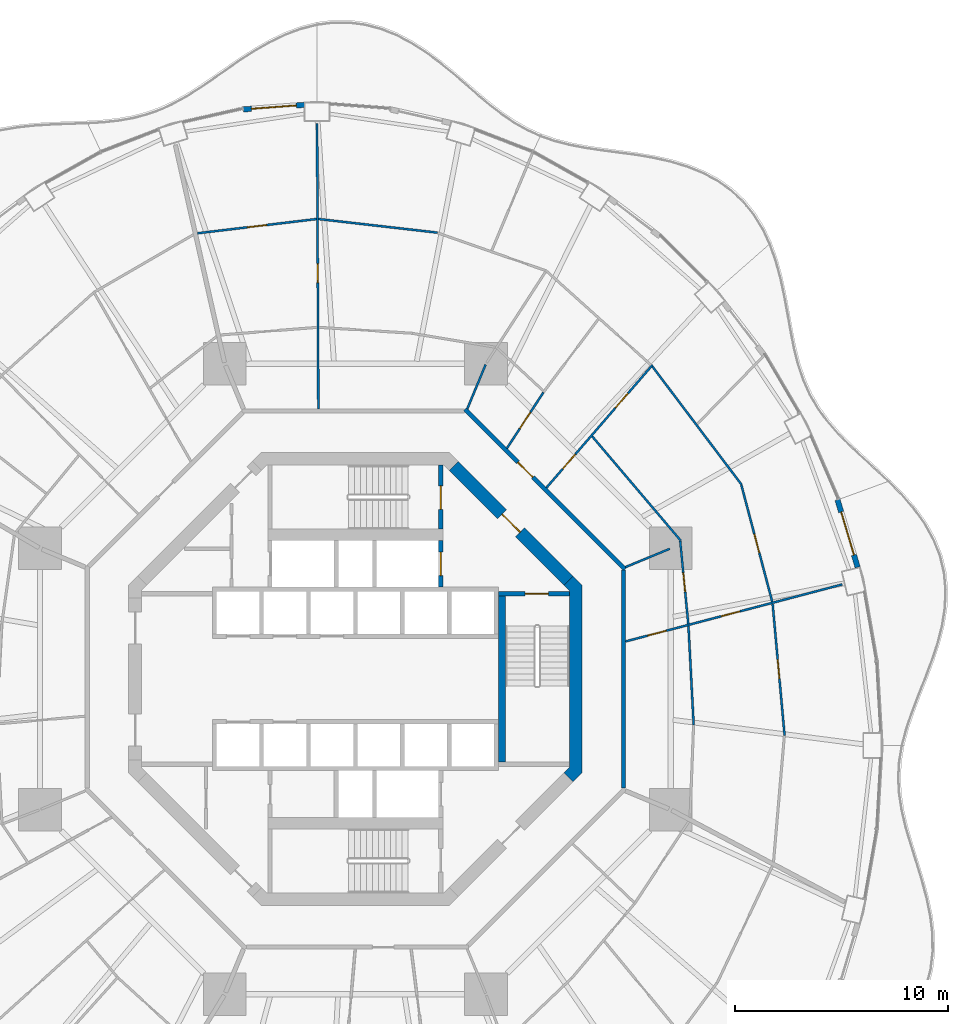
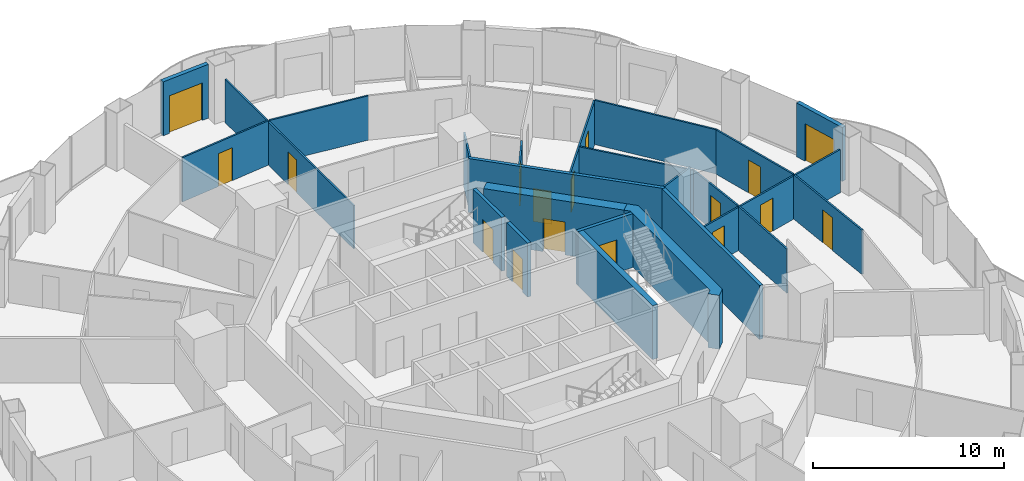
# One storey, part 17 of 21: 24 walls, 17 doors, 17 openings.
"""IFC4 building model written with IfcOpenShell, lengths in metres."""

from ifc_helpers import new_model, si_unit, direction, frame, frame_2d, origin, place, context, subcontext, project, spatial, polyline, rectangle, outline, extrude, material, layer, layer_set, type_object, element, fill, save


model = new_model("IFC4")

# Units and contexts
model_context = context("Model", 3, precision=1e-05, world=origin(), true_north=direction((0.0, 1.0)))
body_context = subcontext(model_context, "Body", "Model", "MODEL_VIEW")
ifc_project = project(units=[si_unit("LENGTHUNIT", "METRE"), si_unit("AREAUNIT", "SQUARE_METRE"), si_unit("VOLUMEUNIT", "CUBIC_METRE"), si_unit("PLANEANGLEUNIT", "RADIAN"), si_unit("MASSUNIT", "GRAM", prefix="KILO")], contexts=[model_context])

# Site, building, storey
site_placement = place(None, origin())
site = spatial("IfcSite", under=ifc_project, at=site_placement, CompositionType="ELEMENT")
building_placement = place(site_placement, origin())
building = spatial("IfcBuilding", under=site, at=building_placement, Name="Nagisa Residences", CompositionType="ELEMENT")
storey_placement = place(building_placement, frame((0.0, 0.0, 138.10009765625)))
storey = spatial("IfcBuildingStorey", under=building, at=storey_placement, Name="L34", CompositionType="ELEMENT", Elevation=138.10009765625)

# Wall
ifc_material_1 = material(Name="Gypsum board on steel studs", Category="steel")
ifc_layer_1 = layer(ifc_material_1, 0.199951171875)
ifc_layer_set_1 = layer_set([ifc_layer_1], Name="Apartment entry wall EI60 200")
wall_type_1 = type_object("IfcWallType", Name="Apartment entry wall EI60 200", PredefinedType="PARTITIONING", material=ifc_layer_set_1)
wall_1_placement = place(storey_placement, frame((12.564697265625, -5.1044921875, 0.0), z_axis=(0.0, 0.0, 1.0), x_axis=(0.0, 1.0, 0.0)))
element("IfcWall", 1, at=wall_1_placement, inside=storey, type_object=wall_type_1, Name="wall:L34:u08", PredefinedType="PARTITIONING", context=body_context, shape_type="SweptSolid", body=[
    extrude(rectangle(XDim=10.208984375, YDim=0.199951171875, at=frame_2d((5.1044921875, 0.0))), origin(), (0.0, 0.0, 1.0), 3.43994140625),
])

# Wall, opening, door
wall_2_placement = place(storey_placement, frame((12.635498046875, 5.1337890625, 0.0), z_axis=(0.0, 0.0, 1.0), x_axis=(-0.707106781187, 0.707106781187, 0.0)))
wall_2 = element("IfcWall", 2, at=wall_2_placement, inside=storey, type_object=wall_type_1, Name="wall:L34:u09", PredefinedType="PARTITIONING", context=body_context, shape_type="SweptSolid", body=[
    extrude(rectangle(XDim=10.609130859375, YDim=0.199951171875, at=frame_2d((5.3046875, 0.0))), origin(), (0.0, 0.0, 1.0), 3.43994140625),
])
opening_1_placement = place(wall_2_placement, frame((6.105712890625, 0.0, 0.0)))
opening_1 = element("IfcOpeningElement", 3, at=opening_1_placement, cuts=wall_2, Name="Opening L34-U28", PredefinedType="OPENING", context=body_context, shape_type="SweptSolid", body=[
    extrude(rectangle(XDim=1.0, YDim=2.10009765625, at=frame_2d((0.5, 1.050048828125))), frame((0.0, 0.10986328125, 0.0), z_axis=(0.0, -1.0, 0.0), x_axis=(1.0, 0.0, 0.0)), (0.0, 0.0, 1.0), 0.219970703125),
])
ifc_material_2 = material(Name="Timber fire door set", Category="wood")
door_type_1 = type_object("IfcDoorType", Name="Apartment entry door FD30S 1000x2100", OperationType="NOTDEFINED", PredefinedType="DOOR", material=ifc_material_2)
door_1_placement = place(opening_1_placement, frame((1.0, 0.0, 0.0), x_axis=(-1.0, 0.0, 0.0)))
door_1 = element("IfcDoor", 4, at=door_1_placement, inside=storey, type_object=door_type_1, Name="Entry door, Apartment 34C", OperationType="SINGLE_SWING_LEFT", OverallHeight=2.10009765625, OverallWidth=1.0, PredefinedType="DOOR", context=body_context, shape_type="SweptSolid", body=[
    extrude(rectangle(XDim=1.0, YDim=2.10009765625, at=frame_2d((0.5, 1.050048828125))), frame((0.0, 0.02490234375, 0.0), z_axis=(0.0, -1.0, 0.0), x_axis=(1.0, 0.0, 0.0)), (0.0, 0.0, 1.0), 0.050048828125),
])
fill(opening_1, door_1)

# Wall
ifc_material_3 = material(Name="Gypsum board on steel studs", Category="steel")
ifc_layer_2 = layer(ifc_material_3, 0.10009765625)
ifc_layer_set_2 = layer_set([ifc_layer_2], Name="Apartment partition 100")
wall_type_2 = type_object("IfcWallType", Name="Apartment partition 100", PredefinedType="PARTITIONING", material=ifc_layer_set_2)
wall_3_placement = place(storey_placement, frame((15.853271484375, -2.158203125, 0.0), z_axis=(0.0, 0.0, 1.0), x_axis=(-0.052509224895, 0.998620439056, 0.0)))
element("IfcWall", 5, at=wall_3_placement, inside=storey, type_object=wall_type_2, Name="wall:L34:u16", PredefinedType="PARTITIONING", context=body_context, shape_type="SweptSolid", body=[
    extrude(rectangle(XDim=4.6494140625, YDim=0.10009765625, at=frame_2d((2.32470703125, 0.0))), origin(), (0.0, 0.0, 1.0), 2.827880859375),
])

# Wall, opening, door
wall_4_placement = place(storey_placement, frame((20.11474609375, -2.64208984375, 0.0), z_axis=(0.0, 0.0, 1.0), x_axis=(-0.090567755363, 0.995890296011, 0.0)))
wall_4 = element("IfcWall", 6, at=wall_4_placement, inside=storey, type_object=wall_type_2, Name="wall:L34:u18", PredefinedType="PARTITIONING", context=body_context, shape_type="SweptSolid", body=[
    extrude(rectangle(XDim=6.189208984375, YDim=0.10009765625, at=frame_2d((3.0947265625, 0.0))), origin(), (0.0, 0.0, 1.0), 2.827880859375),
])
opening_2_placement = place(wall_4_placement, frame((2.669677734375, 0.0, 0.0)))
opening_2 = element("IfcOpeningElement", 7, at=opening_2_placement, cuts=wall_4, Name="Opening L34-U40", PredefinedType="OPENING", context=body_context, shape_type="SweptSolid", body=[
    extrude(rectangle(XDim=0.89990234375, YDim=2.10009765625, at=frame_2d((0.449951171875, 1.050048828125))), frame((0.0, 0.06005859375, 0.0), z_axis=(0.0, -1.0, 0.0), x_axis=(1.0, 0.0, 0.0)), (0.0, 0.0, 1.0), 0.1201171875),
])
ifc_material_4 = material(Name="Timber door set", Category="wood")
door_type_2 = type_object("IfcDoorType", Name="Apartment door 900x2100", OperationType="NOTDEFINED", PredefinedType="DOOR", material=ifc_material_4)
door_2_placement = place(opening_2_placement, frame((0.89990234375, 0.0, 0.0), x_axis=(-1.0, 0.0, 0.0)))
door_2 = element("IfcDoor", 8, at=door_2_placement, inside=storey, type_object=door_type_2, Name="Door to family room, Apartment 34C", OperationType="SINGLE_SWING_LEFT", OverallHeight=2.10009765625, OverallWidth=0.89990234375, PredefinedType="DOOR", context=body_context, shape_type="SweptSolid", body=[
    extrude(rectangle(XDim=0.89990234375, YDim=2.10009765625, at=frame_2d((0.449951171875, 1.050048828125))), frame((0.0, 0.02490234375, 0.0), z_axis=(0.0, -1.0, 0.0), x_axis=(1.0, 0.0, 0.0)), (0.0, 0.0, 1.0), 0.050048828125),
])
fill(opening_2, door_2)

# Wall, openings, doors
wall_5_placement = place(storey_placement, frame((12.661376953125, 1.76025390625, 0.0), z_axis=(0.0, 0.0, 1.0), x_axis=(0.967120304949, 0.254319318488, 0.0)))
wall_5 = element("IfcWall", 9, at=wall_5_placement, inside=storey, type_object=wall_type_2, Name="wall:L34:u20", PredefinedType="PARTITIONING", context=body_context, shape_type="SweptSolid", body=[
    extrude(rectangle(XDim=10.499267578125, YDim=0.10009765625, at=frame_2d((5.24951171875, 0.0))), origin(), (0.0, 0.0, 1.0), 2.755859375),
])
opening_3_placement = place(wall_5_placement, frame((4.6337890625, 0.0, 0.0)))
opening_3 = element("IfcOpeningElement", 10, at=opening_3_placement, cuts=wall_5, Name="Opening L34-U37", PredefinedType="OPENING", context=body_context, shape_type="SweptSolid", body=[
    extrude(rectangle(XDim=0.89990234375, YDim=2.10009765625, at=frame_2d((0.449951171875, 1.050048828125))), frame((0.0, 0.06005859375, 0.0), z_axis=(0.0, -1.0, 0.0), x_axis=(1.0, 0.0, 0.0)), (0.0, 0.0, 1.0), 0.1201171875),
])
opening_4_placement = place(wall_5_placement, frame((1.072509765625, 0.0, 0.0)))
opening_4 = element("IfcOpeningElement", 11, at=opening_4_placement, cuts=wall_5, Name="Opening L34-U42", PredefinedType="OPENING", context=body_context, shape_type="SweptSolid", body=[
    extrude(rectangle(XDim=0.89990234375, YDim=2.10009765625, at=frame_2d((0.449951171875, 1.050048828125))), frame((0.0, 0.06005859375, 0.0), z_axis=(0.0, -1.0, 0.0), x_axis=(1.0, 0.0, 0.0)), (0.0, 0.0, 1.0), 0.1201171875),
])
door_3_placement = place(opening_3_placement, frame((0.89990234375, 0.0, 0.0), x_axis=(-1.0, 0.0, 0.0)))
door_3 = element("IfcDoor", 12, at=door_3_placement, inside=storey, type_object=door_type_2, Name="Door to family room, Apartment 34C", OperationType="SINGLE_SWING_RIGHT", OverallHeight=2.10009765625, OverallWidth=0.89990234375, PredefinedType="DOOR", context=body_context, shape_type="SweptSolid", body=[
    extrude(rectangle(XDim=0.89990234375, YDim=2.10009765625, at=frame_2d((0.449951171875, 1.050048828125))), frame((0.0, 0.02490234375, 0.0), z_axis=(0.0, -1.0, 0.0), x_axis=(1.0, 0.0, 0.0)), (0.0, 0.0, 1.0), 0.050048828125),
])
fill(opening_3, door_3)
door_4_placement = place(opening_4_placement, frame((0.89990234375, 0.0, 0.0), x_axis=(-1.0, 0.0, 0.0)))
door_4 = element("IfcDoor", 13, at=door_4_placement, inside=storey, type_object=door_type_2, Name="Door to store, Apartment 34C", OperationType="SINGLE_SWING_LEFT", OverallHeight=2.10009765625, OverallWidth=0.89990234375, PredefinedType="DOOR", context=body_context, shape_type="SweptSolid", body=[
    extrude(rectangle(XDim=0.89990234375, YDim=2.10009765625, at=frame_2d((0.449951171875, 1.050048828125))), frame((0.0, 0.02490234375, 0.0), z_axis=(0.0, -1.0, 0.0), x_axis=(1.0, 0.0, 0.0)), (0.0, 0.0, 1.0), 0.050048828125),
])
fill(opening_4, door_4)

# Wall, opening, door
wall_6_placement = place(storey_placement, frame((15.601806640625, 2.58447265625, 0.0), z_axis=(0.0, 0.0, 1.0), x_axis=(-0.097207196705, 0.995264166394, 0.0)))
wall_6 = element("IfcWall", 14, at=wall_6_placement, inside=storey, type_object=wall_type_2, Name="wall:L34:u21", PredefinedType="PARTITIONING", context=body_context, shape_type="SweptSolid", body=[
    extrude(rectangle(XDim=3.905517578125, YDim=0.10009765625, at=frame_2d((1.95263671875, 0.0))), origin(), (0.0, 0.0, 1.0), 2.827880859375),
])
opening_5_placement = place(wall_6_placement, frame((1.502685546875, 0.0, 0.0)))
opening_5 = element("IfcOpeningElement", 15, at=opening_5_placement, cuts=wall_6, Name="Opening L34-U36", PredefinedType="OPENING", context=body_context, shape_type="SweptSolid", body=[
    extrude(rectangle(XDim=0.89990234375, YDim=2.10009765625, at=frame_2d((0.449951171875, 1.050048828125))), frame((0.0, 0.06005859375, 0.0), z_axis=(0.0, -1.0, 0.0), x_axis=(1.0, 0.0, 0.0)), (0.0, 0.0, 1.0), 0.1201171875),
])
door_5_placement = place(opening_5_placement, origin())
door_5 = element("IfcDoor", 16, at=door_5_placement, inside=storey, type_object=door_type_2, Name="Door to laundry, Apartment 34C", OperationType="SINGLE_SWING_RIGHT", OverallHeight=2.10009765625, OverallWidth=0.89990234375, PredefinedType="DOOR", context=body_context, shape_type="SweptSolid", body=[
    extrude(rectangle(XDim=0.89990234375, YDim=2.10009765625, at=frame_2d((0.449951171875, 1.050048828125))), frame((0.0, 0.02490234375, 0.0), z_axis=(0.0, -1.0, 0.0), x_axis=(1.0, 0.0, 0.0)), (0.0, 0.0, 1.0), 0.050048828125),
])
fill(opening_5, door_5)

wall_7_placement = place(storey_placement, frame((19.536865234375, 3.619873046875, 0.0), z_axis=(0.0, 0.0, 1.0), x_axis=(-0.255892560316, 0.966705227862, 0.0)))
wall_7 = element("IfcWall", 17, at=wall_7_placement, inside=storey, type_object=wall_type_2, Name="wall:L34:u22", PredefinedType="PARTITIONING", context=body_context, shape_type="SweptSolid", body=[
    extrude(rectangle(XDim=5.65869140625, YDim=0.10009765625, at=frame_2d((2.829345703125, 0.0))), origin(), (0.0, 0.0, 1.0), 2.827880859375),
])
opening_6_placement = place(wall_7_placement, frame((2.37939453125, 0.0, 0.0)))
opening_6 = element("IfcOpeningElement", 18, at=opening_6_placement, cuts=wall_7, Name="Opening L34-U33", PredefinedType="OPENING", context=body_context, shape_type="SweptSolid", body=[
    extrude(rectangle(XDim=0.89990234375, YDim=2.10009765625, at=frame_2d((0.449951171875, 1.050048828125))), frame((0.0, 0.06005859375, 0.0), z_axis=(0.0, -1.0, 0.0), x_axis=(1.0, 0.0, 0.0)), (0.0, 0.0, 1.0), 0.1201171875),
])
door_6_placement = place(opening_6_placement, frame((0.89990234375, 0.0, 0.0), x_axis=(-1.0, 0.0, 0.0)))
door_6 = element("IfcDoor", 19, at=door_6_placement, inside=storey, type_object=door_type_2, Name="Door to master bedroom, Apartment 34C", OperationType="SINGLE_SWING_RIGHT", OverallHeight=2.10009765625, OverallWidth=0.89990234375, PredefinedType="DOOR", context=body_context, shape_type="SweptSolid", body=[
    extrude(rectangle(XDim=0.89990234375, YDim=2.10009765625, at=frame_2d((0.449951171875, 1.050048828125))), frame((0.0, 0.02490234375, 0.0), z_axis=(0.0, -1.0, 0.0), x_axis=(1.0, 0.0, 0.0)), (0.0, 0.0, 1.0), 0.050048828125),
])
fill(opening_6, door_6)

# Walls
wall_8_placement = place(storey_placement, frame((12.6572265625, 5.24267578125, 0.0), z_axis=(0.0, 0.0, 1.0), x_axis=(0.923864733477, 0.382719158442, 0.0)))
element("IfcWall", 20, at=wall_8_placement, inside=storey, type_object=wall_type_2, Name="wall:L34:u23", PredefinedType="PARTITIONING", context=body_context, shape_type="SweptSolid", body=[
    extrude(rectangle(XDim=2.25, YDim=0.10009765625, at=frame_2d((1.125, 0.0))), origin(), (0.0, 0.0, 1.0), 3.43994140625),
])
wall_9_placement = place(storey_placement, frame((15.24951171875, 6.483154296875, 0.0), z_axis=(0.0, 0.0, 1.0), x_axis=(-0.647379829894, 0.762167537912, 0.0)))
element("IfcWall", 21, at=wall_9_placement, inside=storey, type_object=wall_type_2, Name="wall:L34:u24", PredefinedType="PARTITIONING", context=body_context, shape_type="SweptSolid", body=[
    extrude(rectangle(XDim=6.41259765625, YDim=0.10009765625, at=frame_2d((3.206298828125, 0.0))), origin(), (0.0, 0.0, 1.0), 2.827880859375),
])
wall_10_placement = place(storey_placement, frame((18.106201171875, 9.098388671875, 0.0), z_axis=(0.0, 0.0, 1.0), x_axis=(-0.602393803621, 0.798199038686, 0.0)))
element("IfcWall", 22, at=wall_10_placement, inside=storey, type_object=wall_type_2, Name="wall:L34:u25", PredefinedType="PARTITIONING", context=body_context, shape_type="SweptSolid", body=[
    extrude(rectangle(XDim=6.94384765625, YDim=0.10009765625, at=frame_2d((3.471923828125, 0.0))), origin(), (0.0, 0.0, 1.0), 2.827880859375),
])

# Wall, openings, doors
wall_11_placement = place(storey_placement, frame((8.949951171875, 8.960205078125, 0.0), z_axis=(0.0, 0.0, 1.0), x_axis=(0.653829477183, 0.756641932995, 0.0)))
wall_11 = element("IfcWall", 23, at=wall_11_placement, inside=storey, type_object=wall_type_2, Name="wall:L34:u27", PredefinedType="PARTITIONING", context=body_context, shape_type="SweptSolid", body=[
    extrude(rectangle(XDim=7.610595703125, YDim=0.10009765625, at=frame_2d((3.80517578125, 0.0))), origin(), (0.0, 0.0, 1.0), 2.755859375),
])
opening_7_placement = place(wall_11_placement, frame((1.16796875, 0.0, 0.0)))
opening_7 = element("IfcOpeningElement", 24, at=opening_7_placement, cuts=wall_11, Name="Opening L34-U29", PredefinedType="OPENING", context=body_context, shape_type="SweptSolid", body=[
    extrude(rectangle(XDim=0.89990234375, YDim=2.10009765625, at=frame_2d((0.449951171875, 1.050048828125))), frame((0.0, 0.06005859375, 0.0), z_axis=(0.0, -1.0, 0.0), x_axis=(1.0, 0.0, 0.0)), (0.0, 0.0, 1.0), 0.1201171875),
])
opening_8_placement = place(wall_11_placement, frame((4.9482421875, 0.0, 0.0)))
opening_8 = element("IfcOpeningElement", 25, at=opening_8_placement, cuts=wall_11, Name="Opening L34-U31", PredefinedType="OPENING", context=body_context, shape_type="SweptSolid", body=[
    extrude(rectangle(XDim=0.89990234375, YDim=2.10009765625, at=frame_2d((0.449951171875, 1.050048828125))), frame((0.0, 0.06005859375, 0.0), z_axis=(0.0, -1.0, 0.0), x_axis=(1.0, 0.0, 0.0)), (0.0, 0.0, 1.0), 0.1201171875),
])
door_7_placement = place(opening_7_placement, frame((0.89990234375, 0.0, 0.0), x_axis=(-1.0, 0.0, 0.0)))
door_7 = element("IfcDoor", 26, at=door_7_placement, inside=storey, type_object=door_type_2, Name="Door to family bathroom, Apartment 34C", OperationType="SINGLE_SWING_RIGHT", OverallHeight=2.10009765625, OverallWidth=0.89990234375, PredefinedType="DOOR", context=body_context, shape_type="SweptSolid", body=[
    extrude(rectangle(XDim=0.89990234375, YDim=2.10009765625, at=frame_2d((0.449951171875, 1.050048828125))), frame((0.0, 0.02490234375, 0.0), z_axis=(0.0, -1.0, 0.0), x_axis=(1.0, 0.0, 0.0)), (0.0, 0.0, 1.0), 0.050048828125),
])
fill(opening_7, door_7)
door_8_placement = place(opening_8_placement, frame((0.89990234375, 0.0, 0.0), x_axis=(-1.0, 0.0, 0.0)))
door_8 = element("IfcDoor", 27, at=door_8_placement, inside=storey, type_object=door_type_2, Name="Door to kitchen, Apartment 34C", OperationType="SINGLE_SWING_RIGHT", OverallHeight=2.10009765625, OverallWidth=0.89990234375, PredefinedType="DOOR", context=body_context, shape_type="SweptSolid", body=[
    extrude(rectangle(XDim=0.89990234375, YDim=2.10009765625, at=frame_2d((0.449951171875, 1.050048828125))), frame((0.0, 0.02490234375, 0.0), z_axis=(0.0, -1.0, 0.0), x_axis=(1.0, 0.0, 0.0)), (0.0, 0.0, 1.0), 0.050048828125),
])
fill(opening_8, door_8)

# Wall, opening, door
wall_12_placement = place(storey_placement, frame((7.09912109375, 10.808349609375, 0.0), z_axis=(0.0, 0.0, 1.0), x_axis=(0.546709757921, 0.837322184463, 0.0)))
wall_12 = element("IfcWall", 28, at=wall_12_placement, inside=storey, type_object=wall_type_2, Name="wall:L34:u29", PredefinedType="PARTITIONING", context=body_context, shape_type="SweptSolid", body=[
    extrude(rectangle(XDim=3.133544921875, YDim=0.10009765625, at=frame_2d((1.56689453125, 0.0))), origin(), (0.0, 0.0, 1.0), 2.755859375),
])
opening_9_placement = place(wall_12_placement, frame((1.11669921875, 0.0, 0.0)))
opening_9 = element("IfcOpeningElement", 29, at=opening_9_placement, cuts=wall_12, Name="Opening L34-U30", PredefinedType="OPENING", context=body_context, shape_type="SweptSolid", body=[
    extrude(rectangle(XDim=0.89990234375, YDim=2.10009765625, at=frame_2d((0.449951171875, 1.050048828125))), frame((0.0, 0.06005859375, 0.0), z_axis=(0.0, -1.0, 0.0), x_axis=(1.0, 0.0, 0.0)), (0.0, 0.0, 1.0), 0.1201171875),
])
door_9_placement = place(opening_9_placement, origin())
door_9 = element("IfcDoor", 30, at=door_9_placement, inside=storey, type_object=door_type_2, Name="Door to family bathroom, Apartment 34C", OperationType="SINGLE_SWING_RIGHT", OverallHeight=2.10009765625, OverallWidth=0.89990234375, PredefinedType="DOOR", context=body_context, shape_type="SweptSolid", body=[
    extrude(rectangle(XDim=0.89990234375, YDim=2.10009765625, at=frame_2d((0.449951171875, 1.050048828125))), frame((0.0, 0.02490234375, 0.0), z_axis=(0.0, -1.0, 0.0), x_axis=(1.0, 0.0, 0.0)), (0.0, 0.0, 1.0), 0.050048828125),
])
fill(opening_9, door_9)

# Walls
wall_13_placement = place(storey_placement, frame((5.24267578125, 12.6572265625, 0.0), z_axis=(0.0, 0.0, 1.0), x_axis=(0.382703272338, 0.923871314276, 0.0)))
element("IfcWall", 31, at=wall_13_placement, inside=storey, type_object=wall_type_2, Name="wall:L34:u32", PredefinedType="PARTITIONING", context=body_context, shape_type="SweptSolid", body=[
    extrude(rectangle(XDim=2.249267578125, YDim=0.10009765625, at=frame_2d((1.12451171875, 0.0))), origin(), (0.0, 0.0, 1.0), 3.43994140625),
])
wall_14_placement = place(storey_placement, frame((3.850830078125, 20.9189453125, 0.0), z_axis=(0.0, 0.0, 1.0), x_axis=(-0.993519908136, 0.11365822512, 0.0)))
element("IfcWall", 32, at=wall_14_placement, inside=storey, type_object=wall_type_2, Name="wall:L34:u38", PredefinedType="PARTITIONING", context=body_context, shape_type="SweptSolid", body=[
    extrude(rectangle(XDim=5.61279296875, YDim=0.10009765625, at=frame_2d((2.806396484375, 0.0))), origin(), (0.0, 0.0, 1.0), 2.827880859375),
])

# Wall, opening, door
wall_15_placement = place(storey_placement, frame((-1.7353515625, 12.664794921875, 0.0), z_axis=(0.0, 0.0, 1.0), x_axis=(-0.004494500855, 0.99998989968, 0.0)))
wall_15 = element("IfcWall", 33, at=wall_15_placement, inside=storey, type_object=wall_type_2, Name="wall:L34:u39", PredefinedType="PARTITIONING", context=body_context, shape_type="SweptSolid", body=[
    extrude(rectangle(XDim=13.36279296875, YDim=0.10009765625, at=frame_2d((6.681396484375, 0.0))), origin(), (0.0, 0.0, 1.0), 2.755859375),
])
opening_10_placement = place(wall_15_placement, frame((5.908203125, 0.0, 0.0)))
opening_10 = element("IfcOpeningElement", 34, at=opening_10_placement, cuts=wall_15, Name="Opening L34-U39", PredefinedType="OPENING", context=body_context, shape_type="SweptSolid", body=[
    extrude(rectangle(XDim=0.89990234375, YDim=2.10009765625, at=frame_2d((0.449951171875, 1.050048828125))), frame((0.0, 0.06005859375, 0.0), z_axis=(0.0, -1.0, 0.0), x_axis=(1.0, 0.0, 0.0)), (0.0, 0.0, 1.0), 0.1201171875),
])
door_10_placement = place(opening_10_placement, origin())
door_10 = element("IfcDoor", 35, at=door_10_placement, inside=storey, type_object=door_type_2, Name="Door to study, Apartment 34C", OperationType="SINGLE_SWING_LEFT", OverallHeight=2.10009765625, OverallWidth=0.89990234375, PredefinedType="DOOR", context=body_context, shape_type="SweptSolid", body=[
    extrude(rectangle(XDim=0.89990234375, YDim=2.10009765625, at=frame_2d((0.449951171875, 1.050048828125))), frame((0.0, 0.02490234375, 0.0), z_axis=(0.0, -1.0, 0.0), x_axis=(1.0, 0.0, 0.0)), (0.0, 0.0, 1.0), 0.050048828125),
])
fill(opening_10, door_10)

wall_16_placement = place(storey_placement, frame((-1.824951171875, 21.556640625, 0.0), z_axis=(0.0, 0.0, 1.0), x_axis=(-0.992915053711, -0.11882632753, 0.0)))
wall_16 = element("IfcWall", 36, at=wall_16_placement, inside=storey, type_object=wall_type_2, Name="wall:L34:u41", PredefinedType="PARTITIONING", context=body_context, shape_type="SweptSolid", body=[
    extrude(rectangle(XDim=5.615234375, YDim=0.10009765625, at=frame_2d((2.8076171875, 0.0))), origin(), (0.0, 0.0, 1.0), 2.827880859375),
])
opening_11_placement = place(wall_16_placement, frame((2.357666015625, 0.0, 0.0)))
opening_11 = element("IfcOpeningElement", 37, at=opening_11_placement, cuts=wall_16, Name="Opening L34-U41", PredefinedType="OPENING", context=body_context, shape_type="SweptSolid", body=[
    extrude(rectangle(XDim=0.89990234375, YDim=2.10009765625, at=frame_2d((0.449951171875, 1.050048828125))), frame((0.0, 0.06005859375, 0.0), z_axis=(0.0, -1.0, 0.0), x_axis=(1.0, 0.0, 0.0)), (0.0, 0.0, 1.0), 0.1201171875),
])
door_11_placement = place(opening_11_placement, frame((0.89990234375, 0.0, 0.0), x_axis=(-1.0, 0.0, 0.0)))
door_11 = element("IfcDoor", 38, at=door_11_placement, inside=storey, type_object=door_type_2, Name="Door to bedroom, Apartment 34C", OperationType="SINGLE_SWING_RIGHT", OverallHeight=2.10009765625, OverallWidth=0.89990234375, PredefinedType="DOOR", context=body_context, shape_type="SweptSolid", body=[
    extrude(rectangle(XDim=0.89990234375, YDim=2.10009765625, at=frame_2d((0.449951171875, 1.050048828125))), frame((0.0, 0.02490234375, 0.0), z_axis=(0.0, -1.0, 0.0), x_axis=(1.0, 0.0, 0.0)), (0.0, 0.0, 1.0), 0.050048828125),
])
fill(opening_11, door_11)

ifc_material_5 = material(Name="Precast concrete C40/50", Category="concrete")
ifc_layer_3 = layer(ifc_material_5, 0.25)
ifc_layer_set_3 = layer_set([ifc_layer_3], Name="BALCONY DOOR WALL 250")
wall_type_3 = type_object("IfcWallType", Name="BALCONY DOOR WALL 250", PredefinedType="SOLIDWALL", material=ifc_layer_set_3)
wall_17_placement = place(storey_placement, frame((22.595458984375, 8.401611328125, 0.0), z_axis=(0.0, 0.0, 1.0), x_axis=(0.285842038783, -0.958276749621, 0.0)))
wall_17 = element("IfcWall", 39, at=wall_17_placement, inside=storey, type_object=wall_type_3, Name="wall:L34:bay02", PredefinedType="SOLIDWALL", context=body_context, shape_type="SweptSolid", body=[
    extrude(rectangle(XDim=3.302734375, YDim=0.25, at=frame_2d((1.6513671875, 0.0))), origin(), (0.0, 0.0, 1.0), 3.43994140625),
])
opening_12_placement = place(wall_17_placement, frame((0.6015625, 0.0, 0.0)))
opening_12 = element("IfcOpeningElement", 40, at=opening_12_placement, cuts=wall_17, Name="Opening BD-L34-01", PredefinedType="OPENING", context=body_context, shape_type="SweptSolid", body=[
    extrude(rectangle(XDim=2.10009765625, YDim=2.39990234375, at=frame_2d((1.050048828125, 1.199951171875))), frame((0.0, 0.135009765625, 0.0), z_axis=(0.0, -1.0, 0.0), x_axis=(1.0, 0.0, 0.0)), (0.0, 0.0, 1.0), 0.27001953125),
])
ifc_material_6 = material(Name="Aluminium and clear glass", Category="aluminium")
door_type_3 = type_object("IfcDoorType", Name="BALCONY SLIDING DOOR 2100x2400", OperationType="SLIDING_TO_LEFT", PredefinedType="DOOR", material=ifc_material_6)
door_12_placement = place(opening_12_placement, origin())
door_12 = element("IfcDoor", 41, at=door_12_placement, inside=storey, type_object=door_type_3, Name="door:L34:bay02", OperationType="SLIDING_TO_LEFT", OverallHeight=2.39990234375, OverallWidth=2.10009765625, PredefinedType="DOOR", context=body_context, shape_type="SweptSolid", body=[
    extrude(rectangle(XDim=2.10009765625, YDim=2.39990234375, at=frame_2d((1.050048828125, 1.199951171875))), frame((0.0, 0.02490234375, 0.0), z_axis=(0.0, -1.0, 0.0), x_axis=(1.0, 0.0, 0.0)), (0.0, 0.0, 1.0), 0.050048828125),
])
fill(opening_12, door_12)

wall_18_placement = place(storey_placement, frame((-5.254150390625, 26.6943359375, 0.0), z_axis=(0.0, 0.0, 1.0), x_axis=(0.997231697044, 0.074356858535, 0.0)))
wall_18 = element("IfcWall", 42, at=wall_18_placement, inside=storey, type_object=wall_type_3, Name="wall:L34:bay12", PredefinedType="SOLIDWALL", context=body_context, shape_type="SweptSolid", body=[
    extrude(rectangle(XDim=2.873046875, YDim=0.25, at=frame_2d((1.4365234375, 0.0))), origin(), (0.0, 0.0, 1.0), 3.43994140625),
])
opening_13_placement = place(wall_18_placement, frame((0.386474609375, 0.0, 0.0)))
opening_13 = element("IfcOpeningElement", 43, at=opening_13_placement, cuts=wall_18, Name="Opening BD-L34-05", PredefinedType="OPENING", context=body_context, shape_type="SweptSolid", body=[
    extrude(rectangle(XDim=2.10009765625, YDim=2.39990234375, at=frame_2d((1.050048828125, 1.199951171875))), frame((0.0, 0.135009765625, 0.0), z_axis=(0.0, -1.0, 0.0), x_axis=(1.0, 0.0, 0.0)), (0.0, 0.0, 1.0), 0.27001953125),
])
door_13_placement = place(opening_13_placement, origin())
door_13 = element("IfcDoor", 44, at=door_13_placement, inside=storey, type_object=door_type_3, Name="door:L34:bay12", OperationType="SLIDING_TO_LEFT", OverallHeight=2.39990234375, OverallWidth=2.10009765625, PredefinedType="DOOR", context=body_context, shape_type="SweptSolid", body=[
    extrude(rectangle(XDim=2.10009765625, YDim=2.39990234375, at=frame_2d((1.050048828125, 1.199951171875))), frame((0.0, 0.02490234375, 0.0), z_axis=(0.0, -1.0, 0.0), x_axis=(1.0, 0.0, 0.0)), (0.0, 0.0, 1.0), 0.050048828125),
])
fill(opening_13, door_13)

ifc_material_7 = material(Name="Concrete C60", Category="concrete")
ifc_layer_4 = layer(ifc_material_7, 0.60009765625)
ifc_layer_set_4 = layer_set([ifc_layer_4], Name="Core shear wall 600")
wall_type_4 = type_object("IfcWallType", Name="Core shear wall 600", PredefinedType="SHEAR", material=ifc_layer_set_4)
wall_19_placement = place(storey_placement, frame((9.98828125, 4.613037109375, 0.0), z_axis=(0.0, 0.0, 1.0), x_axis=(-0.707106781187, 0.707106781187, 0.0)))
wall_19 = element("IfcWall", 45, at=wall_19_placement, inside=storey, type_object=wall_type_4, Name="wall:L34:core:flat1", PredefinedType="SHEAR", context=body_context, shape_type="SweptSolid", body=[
    extrude(rectangle(XDim=7.601806640625, YDim=0.60009765625, at=frame_2d((3.80078125, 0.0))), origin(), (0.0, 0.0, 1.0), 3.43994140625),
])
opening_14_placement = place(wall_19_placement, frame((3.200927734375, 0.0, 0.0)))
opening_14 = element("IfcOpeningElement", 46, at=opening_14_placement, cuts=wall_19, Name="Opening L34-C16", PredefinedType="OPENING", context=body_context, shape_type="SweptSolid", body=[
    extrude(rectangle(XDim=1.199951171875, YDim=2.10009765625, at=frame_2d((0.60009765625, 1.050048828125))), frame((0.0, 0.31005859375, 0.0), z_axis=(0.0, -1.0, 0.0), x_axis=(1.0, 0.0, 0.0)), (0.0, 0.0, 1.0), 0.6201171875),
])
ifc_material_8 = material(Name="Steel fire door", Category="steel")
door_type_4 = type_object("IfcDoorType", Name="Fire door EI60 1200x2100 single swing", OperationType="NOTDEFINED", PredefinedType="DOOR", material=ifc_material_8)
door_14_placement = place(opening_14_placement, origin())
door_14 = element("IfcDoor", 47, at=door_14_placement, inside=storey, type_object=door_type_4, Name="Firefighting lobby 1 door L34", OperationType="SINGLE_SWING_RIGHT", OverallHeight=2.10009765625, OverallWidth=1.199951171875, PredefinedType="DOOR", context=body_context, shape_type="SweptSolid", body=[
    extrude(rectangle(XDim=1.199951171875, YDim=2.10009765625, at=frame_2d((0.60009765625, 1.050048828125))), frame((0.0, 0.02490234375, 0.0), z_axis=(0.0, -1.0, 0.0), x_axis=(1.0, 0.0, 0.0)), (0.0, 0.0, 1.0), 0.050048828125),
])
fill(opening_14, door_14)

# Wall
wall_20_placement = place(storey_placement, origin())
element("IfcWall", 48, at=wall_20_placement, inside=storey, type_object=wall_type_4, Name="wall:L34:core:flat0", PredefinedType="SHEAR", context=body_context, shape_type="SweptSolid", body=[
    extrude(outline(polyline([(9.776123046875, -4.40087890625), (10.024658203125, -4.15234375), (10.024658203125, -3.801025390625), (10.024658203125, 4.15234375), (9.776123046875, 4.40087890625), (10.200439453125, 4.8251953125), (10.62451171875, 4.40087890625), (10.62451171875, -4.40087890625), (10.200439453125, -4.8251953125), (9.776123046875, -4.40087890625)])), origin(), (0.0, 0.0, 1.0), 3.43994140625),
])

# Wall, opening, door
ifc_material_9 = material(Name="Concrete C60", Category="concrete")
ifc_layer_5 = layer(ifc_material_9, 0.199951171875)
ifc_layer_set_5 = layer_set([ifc_layer_5], Name="Lift shaft wall 200")
wall_type_5 = type_object("IfcWallType", Name="Lift shaft wall 200", PredefinedType="SOLIDWALL", material=ifc_layer_set_5)
wall_21_placement = place(storey_placement, frame((4.0, 4.300048828125, 0.0), z_axis=(0.0, 0.0, 1.0), x_axis=(0.0, 1.0, 0.0)))
wall_21 = element("IfcWall", 49, at=wall_21_placement, inside=storey, type_object=wall_type_5, Name="wall:L34:Nb3", PredefinedType="SOLIDWALL", context=body_context, shape_type="SweptSolid", body=[
    extrude(rectangle(XDim=2.199951171875, YDim=0.199951171875, at=frame_2d((1.10009765625, 0.0))), origin(), (0.0, 0.0, 1.0), 3.43994140625),
])
opening_15_placement = place(wall_21_placement, frame((0.550048828125, 0.0, 0.0)))
opening_15 = element("IfcOpeningElement", 50, at=opening_15_placement, cuts=wall_21, Name="Opening L34-C06", PredefinedType="OPENING", context=body_context, shape_type="SweptSolid", body=[
    extrude(rectangle(XDim=1.10009765625, YDim=2.10009765625, at=frame_2d((0.550048828125, 1.050048828125))), frame((0.0, 0.10986328125, 0.0), z_axis=(0.0, -1.0, 0.0), x_axis=(1.0, 0.0, 0.0)), (0.0, 0.0, 1.0), 0.219970703125),
])
ifc_material_10 = material(Name="Stainless steel", Category="steel")
door_type_5 = type_object("IfcDoorType", Name="Lift landing door 1100x2100", OperationType="DOUBLE_DOOR_SLIDING", PredefinedType="DOOR", material=ifc_material_10)
door_15_placement = place(opening_15_placement, origin())
door_15 = element("IfcDoor", 51, at=door_15_placement, inside=storey, type_object=door_type_5, Name="Landing door FL1 L34", OperationType="DOUBLE_DOOR_SLIDING", OverallHeight=2.10009765625, OverallWidth=1.10009765625, PredefinedType="DOOR", context=body_context, shape_type="SweptSolid", body=[
    extrude(rectangle(XDim=1.10009765625, YDim=2.10009765625, at=frame_2d((0.550048828125, 1.050048828125))), frame((0.0, 0.02490234375, 0.0), z_axis=(0.0, -1.0, 0.0), x_axis=(1.0, 0.0, 0.0)), (0.0, 0.0, 1.0), 0.050048828125),
])
fill(opening_15, door_15)

ifc_material_11 = material(Name="Concrete C60", Category="concrete")
ifc_layer_6 = layer(ifc_material_11, 0.199951171875)
ifc_layer_set_6 = layer_set([ifc_layer_6], Name="Stair enclosure wall 200")
wall_type_6 = type_object("IfcWallType", Name="Stair enclosure wall 200", PredefinedType="SOLIDWALL", material=ifc_layer_set_6)
wall_22_placement = place(storey_placement, frame((6.699951171875, 4.0, 0.0), z_axis=(0.0, 0.0, 1.0), x_axis=(1.0, 0.0, 0.0)))
wall_22 = element("IfcWall", 52, at=wall_22_placement, inside=storey, type_object=wall_type_6, Name="wall:L34:SE_n", PredefinedType="SOLIDWALL", context=body_context, shape_type="SweptSolid", body=[
    extrude(rectangle(XDim=3.32470703125, YDim=0.199951171875, at=frame_2d((1.662353515625, 0.0))), origin(), (0.0, 0.0, 1.0), 3.43994140625),
])
opening_16_placement = place(wall_22_placement, frame((1.25, 0.0, 0.0)))
opening_16 = element("IfcOpeningElement", 53, at=opening_16_placement, cuts=wall_22, Name="Opening L34-C09", PredefinedType="OPENING", context=body_context, shape_type="SweptSolid", body=[
    extrude(rectangle(XDim=1.10009765625, YDim=2.10009765625, at=frame_2d((0.550048828125, 1.050048828125))), frame((0.0, 0.10986328125, 0.0), z_axis=(0.0, -1.0, 0.0), x_axis=(1.0, 0.0, 0.0)), (0.0, 0.0, 1.0), 0.219970703125),
])
ifc_material_12 = material(Name="Steel fire door", Category="steel")
door_type_6 = type_object("IfcDoorType", Name="Fire door EI90 1100x2100 single swing", OperationType="NOTDEFINED", PredefinedType="DOOR", material=ifc_material_12)
door_16_placement = place(opening_16_placement, frame((1.10009765625, 0.0, 0.0), x_axis=(-1.0, 0.0, 0.0)))
door_16 = element("IfcDoor", 54, at=door_16_placement, inside=storey, type_object=door_type_6, Name="Stair door ST-E L34", OperationType="SINGLE_SWING_LEFT", OverallHeight=2.10009765625, OverallWidth=1.10009765625, PredefinedType="DOOR", context=body_context, shape_type="SweptSolid", body=[
    extrude(rectangle(XDim=1.10009765625, YDim=2.10009765625, at=frame_2d((0.550048828125, 1.050048828125))), frame((0.0, 0.02490234375, 0.0), z_axis=(0.0, -1.0, 0.0), x_axis=(1.0, 0.0, 0.0)), (0.0, 0.0, 1.0), 0.050048828125),
])
fill(opening_16, door_16)

wall_23_placement = place(storey_placement, frame((4.0, 7.024658203125, 0.0), z_axis=(0.0, 0.0, 1.0), x_axis=(0.0, 1.0, 0.0)))
wall_23 = element("IfcWall", 55, at=wall_23_placement, inside=storey, type_object=wall_type_6, Name="wall:L34:SN_e", PredefinedType="SOLIDWALL", context=body_context, shape_type="SweptSolid", body=[
    extrude(rectangle(XDim=3.0, YDim=0.199951171875, at=frame_2d((1.5, 0.0))), origin(), (0.0, 0.0, 1.0), 3.43994140625),
])
opening_17_placement = place(wall_23_placement, frame((0.92529296875, 0.0, 0.0)))
opening_17 = element("IfcOpeningElement", 56, at=opening_17_placement, cuts=wall_23, Name="Opening L34-C10", PredefinedType="OPENING", context=body_context, shape_type="SweptSolid", body=[
    extrude(rectangle(XDim=1.10009765625, YDim=2.10009765625, at=frame_2d((0.550048828125, 1.050048828125))), frame((0.0, 0.10986328125, 0.0), z_axis=(0.0, -1.0, 0.0), x_axis=(1.0, 0.0, 0.0)), (0.0, 0.0, 1.0), 0.219970703125),
])
door_17_placement = place(opening_17_placement, origin())
door_17 = element("IfcDoor", 57, at=door_17_placement, inside=storey, type_object=door_type_6, Name="Stair door ST-N L34", OperationType="SINGLE_SWING_RIGHT", OverallHeight=2.10009765625, OverallWidth=1.10009765625, PredefinedType="DOOR", context=body_context, shape_type="SweptSolid", body=[
    extrude(rectangle(XDim=1.10009765625, YDim=2.10009765625, at=frame_2d((0.550048828125, 1.050048828125))), frame((0.0, 0.02490234375, 0.0), z_axis=(0.0, -1.0, 0.0), x_axis=(1.0, 0.0, 0.0)), (0.0, 0.0, 1.0), 0.050048828125),
])
fill(opening_17, door_17)

# Wall
wall_24_placement = place(storey_placement, origin())
element("IfcWall", 58, at=wall_24_placement, inside=storey, type_object=wall_type_6, Name="wall:L34:SE_w", PredefinedType="SOLIDWALL", context=body_context, shape_type="SweptSolid", body=[
    extrude(outline(polyline([(7.024658203125, -3.89990234375), (6.699951171875, -3.89990234375), (6.699951171875, 3.89990234375), (7.024658203125, 3.89990234375), (7.024658203125, -3.89990234375)])), origin(), (0.0, 0.0, 1.0), 3.43994140625),
])

save(model, "model.ifc")
